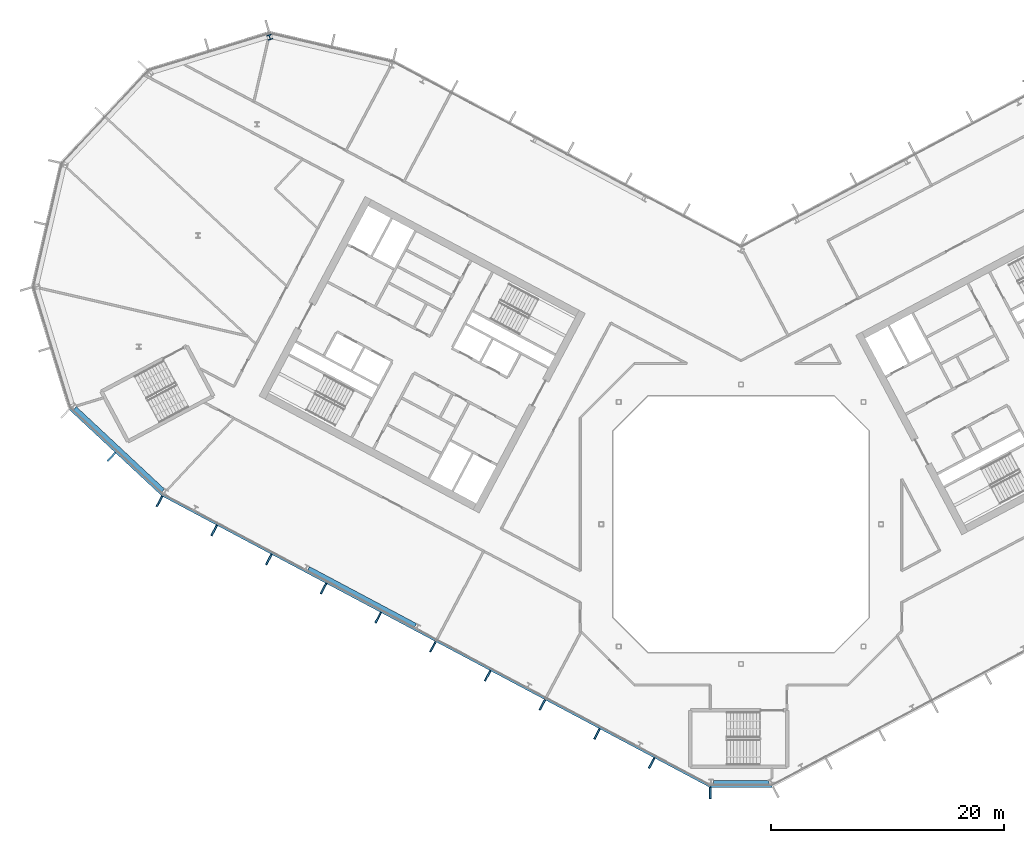
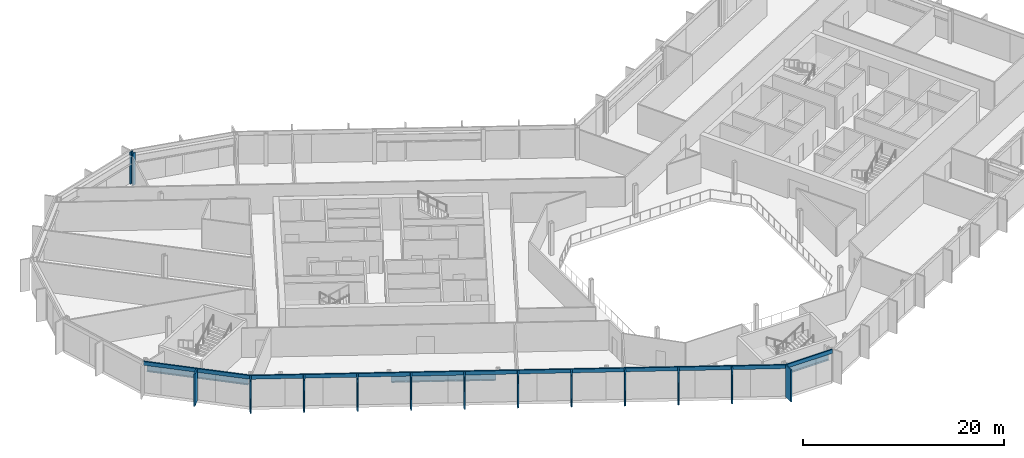
# One storey, part 8 of 26: 15 members, 3 beams, 1 column, 3 elements without a shape of their own.
"""IFC4 building model written with IfcOpenShell, lengths in metres."""

from ifc_helpers import new_model, si_unit, direction, frame, origin, origin_2d, place, context, subcontext, project, spatial, rectangle, i_section, extrude, material, layer, layer_set, material_profile, profile_set, type_object, element, aggregate, save


model = new_model("IFC4")

# Units and contexts
model_context = context("Model", 3, precision=1e-05, world=origin(), true_north=direction((0.0, 1.0)))
body_context = subcontext(model_context, "Body", "Model", "MODEL_VIEW")
ifc_project = project(units=[si_unit("LENGTHUNIT", "METRE"), si_unit("AREAUNIT", "SQUARE_METRE"), si_unit("VOLUMEUNIT", "CUBIC_METRE"), si_unit("PLANEANGLEUNIT", "RADIAN"), si_unit("MASSUNIT", "GRAM", prefix="KILO")], contexts=[model_context])

# Site, building, storey
site_placement = place(None, origin())
site = spatial("IfcSite", under=ifc_project, at=site_placement, CompositionType="ELEMENT")
building_placement = place(site_placement, origin())
building = spatial("IfcBuilding", under=site, at=building_placement, Name="Cormorant Relay Tower", CompositionType="ELEMENT")
storey_placement = place(building_placement, frame((0.0, 0.0, 197.39990234375)))
storey = spatial("IfcBuildingStorey", under=building, at=storey_placement, Name="L42", CompositionType="ELEMENT", Elevation=197.39990234375)

# Column
ifc_material_1 = material(Name="Steel ASTM A992 (Fy 345 MPa)", Category="steel")
ifc_material_profile_1 = material_profile(ifc_material_1, i_section(OverallWidth=0.41162109375, OverallDepth=0.434326171875, WebThickness=0.035888671875, FlangeThickness=0.057373046875, FilletRadius=0.01513671875, at=origin_2d()), Name="W360x463")
ifc_profile_set_1 = profile_set([ifc_material_profile_1], Name="Steel ASTM A992 (Fy 345 MPa)")
column_type = type_object("IfcColumnType", Name="Column W360x463", PredefinedType="COLUMN", material=ifc_profile_set_1)
column_placement = place(storey_placement, frame((-40.455078125, 41.803955078125, 0.0), z_axis=(0.0, 0.0, 1.0), x_axis=(-0.956304755963, -0.292371704723, 0.0)))
element("IfcColumn", 1, at=column_placement, inside=storey, type_object=column_type, Name="Column L42-045", PredefinedType="COLUMN", context=body_context, shape_type="SweptSolid", body=[
    extrude(i_section(OverallWidth=0.41162109375, OverallDepth=0.434326171875, WebThickness=0.035888671875, FlangeThickness=0.057373046875, FilletRadius=0.01513671875, at=origin_2d()), origin(), (0.0, 0.0, 1.0), 3.900146484375),
])

# Curtain wall, member
ifc_material_2 = material(Name="Aluminium 6063-T6 anodised bronze", Category="aluminium")
ifc_layer = layer(ifc_material_2, 0.199951171875)
ifc_layer_set = layer_set([ifc_layer], Name="CW1 unitised bronze curtain wall with vertical fins")
curtain_wall_type = type_object("IfcCurtainWallType", Name="CW1 unitised bronze curtain wall with vertical fins", PredefinedType="NOTDEFINED", material=ifc_layer_set)
curtain_wall_1_placement = place(storey_placement, origin())
curtain_wall_1 = element("IfcCurtainWall", 2, at=curtain_wall_1_placement, inside=storey, type_object=curtain_wall_type, Name="CW1 curtain wall 1", PredefinedType="NOTDEFINED")
ifc_material_3 = material(Name="Aluminium 6063-T6 anodised bronze", Category="aluminium")
ifc_material_profile_2 = material_profile(ifc_material_3, rectangle(XDim=0.14990234375, YDim=1.0, at=origin_2d()), Name="AL 150x1000")
ifc_profile_set_2 = profile_set([ifc_material_profile_2], Name="Aluminium 6063-T6 anodised bronze")
member_type_1 = type_object("IfcMemberType", Name="CW1 bronze fin mullion 150 x 1000", PredefinedType="MULLION", material=ifc_profile_set_2)
member_1_placement = place(storey_placement, frame((-2.648681640625, -23.07568359375, 0.0), z_axis=(0.0, 0.0, 1.0), x_axis=(1.0, 0.0, 0.0)))
member_1 = element("IfcMember", 3, at=member_1_placement, type_object=member_type_1, Name="CW1 fin 1.1", PredefinedType="MULLION", context=body_context, shape_type="SweptSolid", body=[
    extrude(rectangle(XDim=0.14990234375, YDim=1.0, at=origin_2d()), origin(), (0.0, 0.0, 1.0), 3.900146484375),
])

curtain_wall_2_placement = place(storey_placement, origin())
curtain_wall_2 = element("IfcCurtainWall", 4, at=curtain_wall_2_placement, inside=storey, type_object=curtain_wall_type, Name="CW1 curtain wall 15", PredefinedType="NOTDEFINED")
member_2_placement = place(storey_placement, frame((-54.0439453125, 5.779296875, 0.0), z_axis=(0.0, 0.0, 1.0), x_axis=(0.731353701619, -0.681998360062, 0.0)))
member_2 = element("IfcMember", 5, at=member_2_placement, type_object=member_type_1, Name="CW1 fin 15.2", PredefinedType="MULLION", context=body_context, shape_type="SweptSolid", body=[
    extrude(rectangle(XDim=0.14990234375, YDim=1.0, at=origin_2d()), origin(), (0.0, 0.0, 1.0), 3.900146484375),
])

# Curtain wall, members
curtain_wall_3_placement = place(storey_placement, origin())
curtain_wall_3 = element("IfcCurtainWall", 6, at=curtain_wall_3_placement, inside=storey, type_object=curtain_wall_type, Name="CW1 curtain wall 16", PredefinedType="NOTDEFINED")
member_3_placement = place(storey_placement, frame((-49.920166015625, 1.96630859375, 0.0), z_axis=(0.0, 0.0, 1.0), x_axis=(0.882947592859, -0.469471562786, 0.0)))
member_3 = element("IfcMember", 7, at=member_3_placement, type_object=member_type_1, Name="CW1 fin 16.1", PredefinedType="MULLION", context=body_context, shape_type="SweptSolid", body=[
    extrude(rectangle(XDim=0.14990234375, YDim=1.0, at=origin_2d()), origin(), (0.0, 0.0, 1.0), 3.900146484375),
])
member_4_placement = place(storey_placement, frame((-45.225830078125, -0.52978515625, 0.0), z_axis=(0.0, 0.0, 1.0), x_axis=(0.882947592859, -0.469471562786, 0.0)))
member_4 = element("IfcMember", 8, at=member_4_placement, type_object=member_type_1, Name="CW1 fin 16.2", PredefinedType="MULLION", context=body_context, shape_type="SweptSolid", body=[
    extrude(rectangle(XDim=0.14990234375, YDim=1.0, at=origin_2d()), origin(), (0.0, 0.0, 1.0), 3.900146484375),
])
member_5_placement = place(storey_placement, frame((-40.531494140625, -3.025634765625, 0.0), z_axis=(0.0, 0.0, 1.0), x_axis=(0.882947592859, -0.469471562786, 0.0)))
member_5 = element("IfcMember", 9, at=member_5_placement, type_object=member_type_1, Name="CW1 fin 16.3", PredefinedType="MULLION", context=body_context, shape_type="SweptSolid", body=[
    extrude(rectangle(XDim=0.14990234375, YDim=1.0, at=origin_2d()), origin(), (0.0, 0.0, 1.0), 3.900146484375),
])
member_6_placement = place(storey_placement, frame((-35.83740234375, -5.521728515625, 0.0), z_axis=(0.0, 0.0, 1.0), x_axis=(0.882947592859, -0.469471562786, 0.0)))
member_6 = element("IfcMember", 10, at=member_6_placement, type_object=member_type_1, Name="CW1 fin 16.4", PredefinedType="MULLION", context=body_context, shape_type="SweptSolid", body=[
    extrude(rectangle(XDim=0.14990234375, YDim=1.0, at=origin_2d()), origin(), (0.0, 0.0, 1.0), 3.900146484375),
])
member_7_placement = place(storey_placement, frame((-31.14306640625, -8.017578125, 0.0), z_axis=(0.0, 0.0, 1.0), x_axis=(0.882947592859, -0.469471562786, 0.0)))
member_7 = element("IfcMember", 11, at=member_7_placement, type_object=member_type_1, Name="CW1 fin 16.5", PredefinedType="MULLION", context=body_context, shape_type="SweptSolid", body=[
    extrude(rectangle(XDim=0.14990234375, YDim=1.0, at=origin_2d()), origin(), (0.0, 0.0, 1.0), 3.900146484375),
])
member_8_placement = place(storey_placement, frame((-26.44873046875, -10.513671875, 0.0), z_axis=(0.0, 0.0, 1.0), x_axis=(0.882947592859, -0.469471562786, 0.0)))
member_8 = element("IfcMember", 12, at=member_8_placement, type_object=member_type_1, Name="CW1 fin 16.6", PredefinedType="MULLION", context=body_context, shape_type="SweptSolid", body=[
    extrude(rectangle(XDim=0.14990234375, YDim=1.0, at=origin_2d()), origin(), (0.0, 0.0, 1.0), 3.900146484375),
])
member_9_placement = place(storey_placement, frame((-21.754638671875, -13.009765625, 0.0), z_axis=(0.0, 0.0, 1.0), x_axis=(0.882947592859, -0.469471562786, 0.0)))
member_9 = element("IfcMember", 13, at=member_9_placement, type_object=member_type_1, Name="CW1 fin 16.7", PredefinedType="MULLION", context=body_context, shape_type="SweptSolid", body=[
    extrude(rectangle(XDim=0.14990234375, YDim=1.0, at=origin_2d()), origin(), (0.0, 0.0, 1.0), 3.900146484375),
])
member_10_placement = place(storey_placement, frame((-17.060302734375, -15.505615234375, 0.0), z_axis=(0.0, 0.0, 1.0), x_axis=(0.882947592859, -0.469471562786, 0.0)))
member_10 = element("IfcMember", 14, at=member_10_placement, type_object=member_type_1, Name="CW1 fin 16.8", PredefinedType="MULLION", context=body_context, shape_type="SweptSolid", body=[
    extrude(rectangle(XDim=0.14990234375, YDim=1.0, at=origin_2d()), origin(), (0.0, 0.0, 1.0), 3.900146484375),
])
member_11_placement = place(storey_placement, frame((-12.365966796875, -18.001708984375, 0.0), z_axis=(0.0, 0.0, 1.0), x_axis=(0.882947592859, -0.469471562786, 0.0)))
member_11 = element("IfcMember", 15, at=member_11_placement, type_object=member_type_1, Name="CW1 fin 16.9", PredefinedType="MULLION", context=body_context, shape_type="SweptSolid", body=[
    extrude(rectangle(XDim=0.14990234375, YDim=1.0, at=origin_2d()), origin(), (0.0, 0.0, 1.0), 3.900146484375),
])
member_12_placement = place(storey_placement, frame((-7.671630859375, -20.49755859375, 0.0), z_axis=(0.0, 0.0, 1.0), x_axis=(0.882947592859, -0.469471562786, 0.0)))
member_12 = element("IfcMember", 16, at=member_12_placement, type_object=member_type_1, Name="CW1 fin 16.10", PredefinedType="MULLION", context=body_context, shape_type="SweptSolid", body=[
    extrude(rectangle(XDim=0.14990234375, YDim=1.0, at=origin_2d()), origin(), (0.0, 0.0, 1.0), 3.900146484375),
])

# Member
ifc_material_4 = material(Name="Aluminium 6063-T6 anodised bronze", Category="aluminium")
ifc_material_profile_3 = material_profile(ifc_material_4, rectangle(XDim=0.159912109375, YDim=0.449951171875, at=origin_2d()), Name="AL 160x450")
ifc_profile_set_3 = profile_set([ifc_material_profile_3], Name="Aluminium 6063-T6 anodised bronze")
member_type_2 = type_object("IfcMemberType", Name="CW1 bronze transom 160 x 450", PredefinedType="USERDEFINED", material=ifc_profile_set_3)
member_13_placement = place(storey_placement, frame((-2.648681640625, -22.49560546875, 3.675048828125), z_axis=(1.0, 0.0, 0.0), x_axis=(0.0, 1.0, 0.0)))
member_13 = element("IfcMember", 17, at=member_13_placement, type_object=member_type_2, Name="CW1 transom 1", ObjectType="TRANSOM", PredefinedType="USERDEFINED", context=body_context, shape_type="SweptSolid", body=[
    extrude(rectangle(XDim=0.159912109375, YDim=0.449951171875, at=origin_2d()), origin(), (0.0, 0.0, 1.0), 5.29736328125),
])

aggregate(curtain_wall_1, [member_1, member_13])

member_14_placement = place(storey_placement, frame((-57.62353515625, 9.91015625, 3.675048828125), z_axis=(0.731358420696, -0.681993299437, 0.0), x_axis=(0.681993299437, 0.731358420696, 0.0)))
member_14 = element("IfcMember", 18, at=member_14_placement, type_object=member_type_2, Name="CW1 transom 15", ObjectType="TRANSOM", PredefinedType="USERDEFINED", context=body_context, shape_type="SweptSolid", body=[
    extrude(rectangle(XDim=0.159912109375, YDim=0.449951171875, at=origin_2d()), origin(), (0.0, 0.0, 1.0), 10.870361328125),
])

aggregate(curtain_wall_2, [member_2, member_14])

member_15_placement = place(storey_placement, frame((-49.64794921875, 2.478515625, 3.675048828125), z_axis=(0.882947642542, -0.469471469346, 0.0), x_axis=(0.469471469346, 0.882947642542, 0.0)))
member_15 = element("IfcMember", 19, at=member_15_placement, type_object=member_type_2, Name="CW1 transom 16", ObjectType="TRANSOM", PredefinedType="USERDEFINED", context=body_context, shape_type="SweptSolid", body=[
    extrude(rectangle(XDim=0.159912109375, YDim=0.449951171875, at=origin_2d()), origin(), (0.0, 0.0, 1.0), 53.166015625),
])

aggregate(curtain_wall_3, [member_3, member_4, member_5, member_6, member_7, member_8, member_9, member_10, member_11, member_12, member_15])

# Beams
ifc_material_5 = material(Name="Steel ASTM A992 (Fy 345 MPa)", Category="steel")
ifc_material_profile_4 = material_profile(ifc_material_5, i_section(OverallWidth=0.4013671875, OverallDepth=0.990478515625, WebThickness=0.0166015625, FlangeThickness=0.031005859375, FilletRadius=0.030029296875, at=origin_2d()), Name="W1000x320")
ifc_profile_set_4 = profile_set([ifc_material_profile_4], Name="Steel ASTM A992 (Fy 345 MPa)")
beam_type = type_object("IfcBeamType", Name="Spandrel W1000x320", PredefinedType="SPANDREL", material=ifc_profile_set_4)
beam_1_placement = place(storey_placement, frame((-2.3701171875, -22.1748046875, 3.044677734375), z_axis=(1.0, 0.0, 0.0), x_axis=(0.0, 1.0, 0.0)))
element("IfcBeam", 20, at=beam_1_placement, inside=storey, type_object=beam_type, Name="Spandrel beam L42-001", PredefinedType="SPANDREL", context=body_context, shape_type="SweptSolid", body=[
    extrude(i_section(OverallWidth=0.4013671875, OverallDepth=0.990478515625, WebThickness=0.0166015625, FlangeThickness=0.031005859375, FilletRadius=0.030029296875, at=origin_2d()), origin(), (0.0, 0.0, 1.0), 4.761474609375),
])
beam_2_placement = place(storey_placement, frame((-57.19580078125, 9.94970703125, 3.044677734375), z_axis=(0.731351589689, -0.682000624824, 0.0), x_axis=(0.682000624824, 0.731351589689, 0.0)))
element("IfcBeam", 21, at=beam_2_placement, inside=storey, type_object=beam_type, Name="Spandrel beam L42-015", PredefinedType="SPANDREL", context=body_context, shape_type="SweptSolid", body=[
    extrude(i_section(OverallWidth=0.4013671875, OverallDepth=0.990478515625, WebThickness=0.0166015625, FlangeThickness=0.031005859375, FilletRadius=0.030029296875, at=origin_2d()), origin(), (0.0, 0.0, 1.0), 10.354248046875),
])
beam_3_placement = place(storey_placement, frame((-37.134033203125, -3.812255859375, 3.044677734375), z_axis=(0.882949648898, -0.469467695918, 0.0), x_axis=(0.469467695918, 0.882949648898, 0.0)))
element("IfcBeam", 22, at=beam_3_placement, inside=storey, type_object=beam_type, Name="Spandrel beam L42-016", PredefinedType="SPANDREL", context=body_context, shape_type="SweptSolid", body=[
    extrude(i_section(OverallWidth=0.4013671875, OverallDepth=0.990478515625, WebThickness=0.0166015625, FlangeThickness=0.031005859375, FilletRadius=0.030029296875, at=origin_2d()), origin(), (0.0, 0.0, 1.0), 10.39599609375),
])

save(model, "model.ifc")
